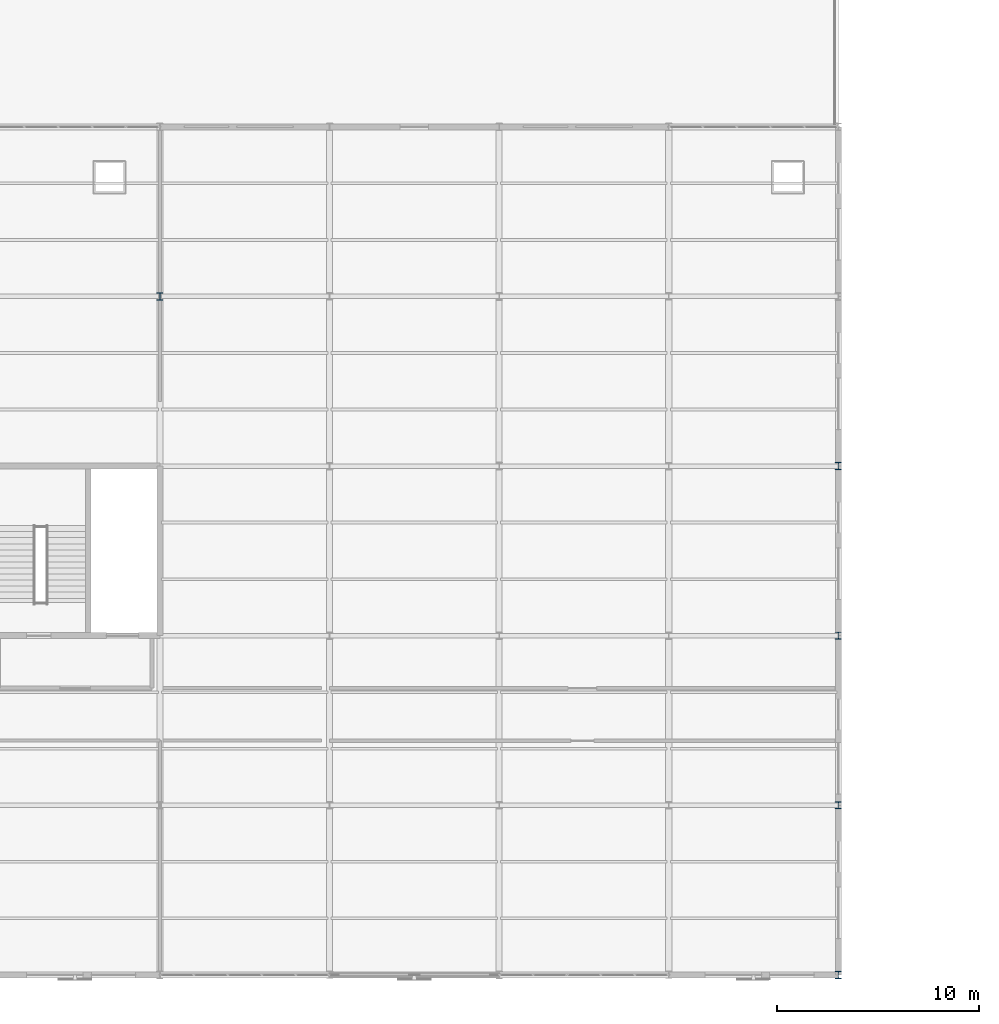
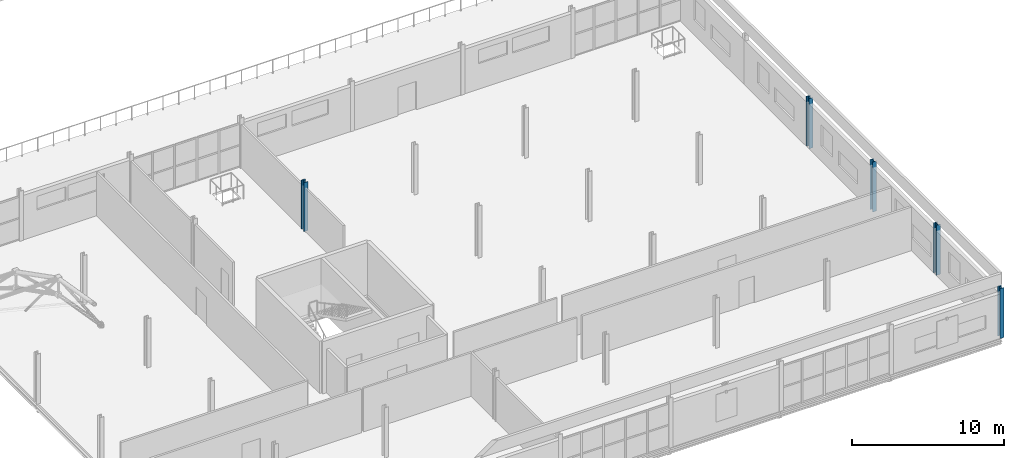
# One storey, part 16 of 184: 5 columns.
"""IFC4 building model written with IfcOpenShell, lengths in metres."""

from ifc_helpers import new_model, si_unit, direction, frame, origin, origin_2d, place, context, subcontext, project, spatial, i_section, extrude, material, material_profile, profile_set, type_object, element, save


model = new_model("IFC4")

# Units and contexts
model_context = context("Model", 3, precision=1e-05, world=origin(), true_north=direction((0.0, 1.0)))
body_context = subcontext(model_context, "Body", "Model", "MODEL_VIEW")
ifc_project = project(units=[si_unit("LENGTHUNIT", "METRE"), si_unit("AREAUNIT", "SQUARE_METRE"), si_unit("VOLUMEUNIT", "CUBIC_METRE"), si_unit("PLANEANGLEUNIT", "RADIAN"), si_unit("MASSUNIT", "GRAM", prefix="KILO")], contexts=[model_context])

# Site, building, storey
site_placement = place(None, origin())
site = spatial("IfcSite", under=ifc_project, at=site_placement, CompositionType="ELEMENT")
building_placement = place(site_placement, origin())
building = spatial("IfcBuilding", under=site, at=building_placement, Name="Qalvenar Corner Mobility Hub", CompositionType="ELEMENT")
storey_placement = place(building_placement, frame((0.0, 0.0, 9.0)))
storey = spatial("IfcBuildingStorey", under=building, at=storey_placement, Name="L02", CompositionType="ELEMENT", Elevation=9.0)

# Columns
ifc_material = material(Name="Steel S355", Category="steel")
ifc_material_profile = material_profile(ifc_material, i_section(OverallWidth=0.300048828125, OverallDepth=0.360107421875, WebThickness=0.012451171875, FlangeThickness=0.0224609375, FilletRadius=0.027099609375, at=origin_2d()), Name="HEB360")
ifc_profile_set = profile_set([ifc_material_profile], Name="Steel S355")
column_type = type_object("IfcColumnType", Name="COL-HEB360", PredefinedType="COLUMN", material=ifc_profile_set)
column_placement = place(storey_placement, frame((134.39990234375, 33.60009765625, 0.0), z_axis=(0.0, 0.0, 1.0), x_axis=(1.0, 0.0, 0.0)))
element("IfcColumn", 1, at=column_placement, inside=storey, type_object=column_type, Name="Steel Column L02-G17-4", PredefinedType="COLUMN", context=body_context, shape_type="SweptSolid", body=[
    extrude(i_section(OverallWidth=0.300048828125, OverallDepth=0.360107421875, WebThickness=0.012451171875, FlangeThickness=0.0224609375, FilletRadius=0.027099609375, at=origin_2d()), origin(), (0.0, 0.0, 1.0), 3.945068359375),
])
for number, where, z_axis, x_axis, name in (
    (2, (168.0, 0.0, 0.0), (0.0, 0.0, 1.0), (1.0, 0.0, 0.0), "Steel Column L02-G21-0"),
    (3, (168.0, 8.39990234375, 0.0), (0.0, 0.0, 1.0), (1.0, 0.0, 0.0), "Steel Column L02-G21-1"),
    (4, (168.0, 16.800048828125, 0.0), (0.0, 0.0, 1.0), (1.0, 0.0, 0.0), "Steel Column L02-G21-2"),
    (5, (168.0, 25.199951171875, 0.0), (0.0, 0.0, 1.0), (1.0, 0.0, 0.0), "Steel Column L02-G21-3"),
):
    element("IfcColumn", number, at=place(storey_placement, frame(where, z_axis=z_axis, x_axis=x_axis)), inside=storey, type_object=column_type, Name=name, PredefinedType="COLUMN", context=body_context, shape_type="SweptSolid", body=[
        extrude(i_section(OverallWidth=0.300048828125, OverallDepth=0.360107421875, WebThickness=0.012451171875, FlangeThickness=0.0224609375, FilletRadius=0.027099609375, at=origin_2d()), origin(), (0.0, 0.0, 1.0), 4.030029296875),
    ])

save(model, "model.ifc")
